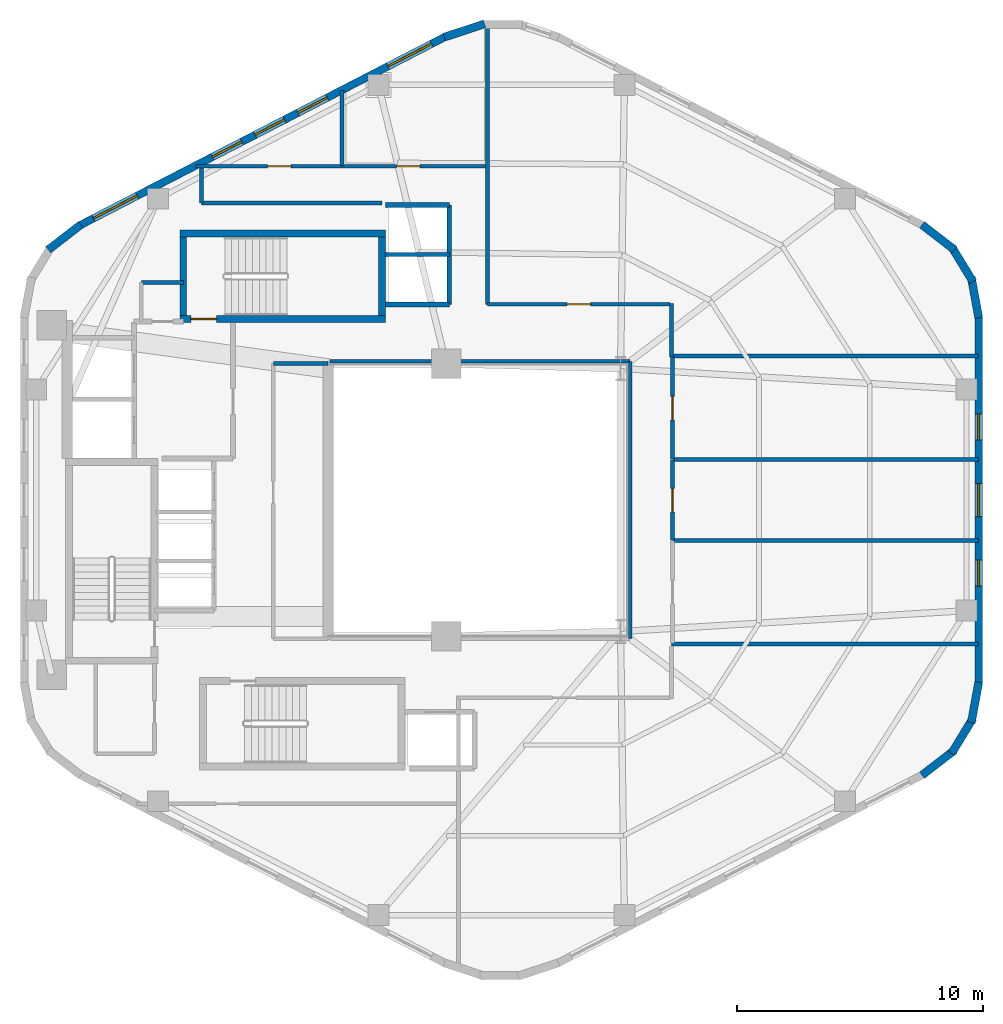
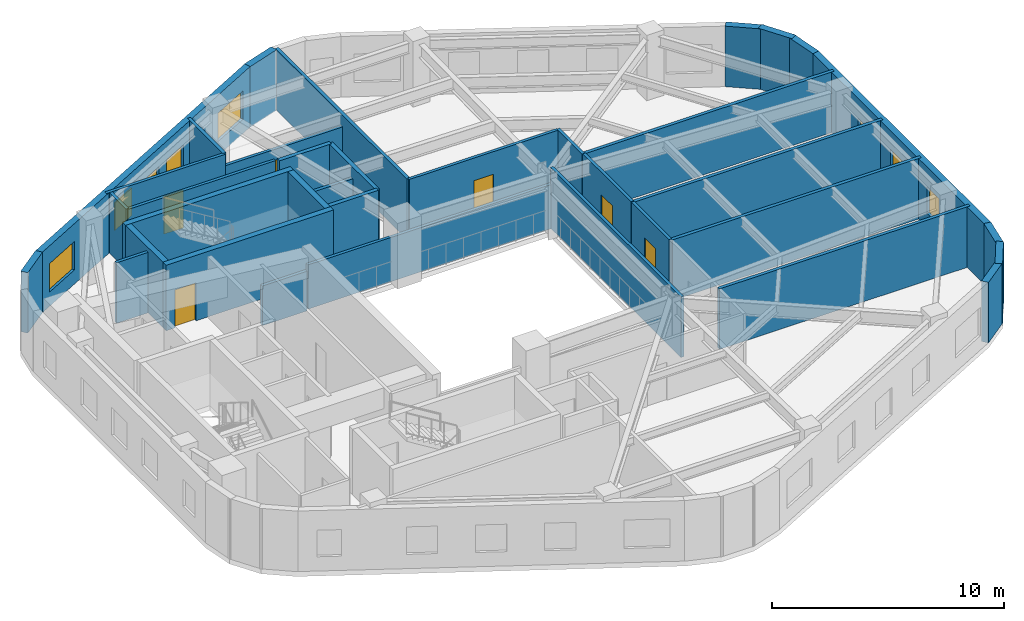
# One storey, part 4 of 6: 36 walls, 8 windows, 6 doors, 14 openings.
"""IFC4 building model written with IfcOpenShell, lengths in metres."""

from ifc_helpers import new_model, si_unit, direction, frame, frame_2d, origin, place, context, subcontext, project, spatial, rectangle, extrude, material, layer, layer_set, type_object, element, fill, save


model = new_model("IFC4")

# Units and contexts
model_context = context("Model", 3, precision=1e-05, world=origin(), true_north=direction((0.0, 1.0)))
body_context = subcontext(model_context, "Body", "Model", "MODEL_VIEW")
ifc_project = project(units=[si_unit("LENGTHUNIT", "METRE"), si_unit("AREAUNIT", "SQUARE_METRE"), si_unit("VOLUMEUNIT", "CUBIC_METRE"), si_unit("PLANEANGLEUNIT", "RADIAN"), si_unit("MASSUNIT", "GRAM", prefix="KILO"), si_unit("THERMODYNAMICTEMPERATUREUNIT", "KELVIN"), si_unit("POWERUNIT", "WATT")], contexts=[model_context])

# Site, building, storey
site_placement = place(None, origin())
site = spatial("IfcSite", under=ifc_project, at=site_placement, CompositionType="ELEMENT")
building_placement = place(site_placement, origin())
building = spatial("IfcBuilding", under=site, at=building_placement, Name="Skarre Station Tower", CompositionType="ELEMENT")
storey_placement = place(building_placement, frame((0.0, 0.0, 206.800048828125)))
storey = spatial("IfcBuildingStorey", under=building, at=storey_placement, Name="L56", CompositionType="ELEMENT", Elevation=206.800048828125)

# Walls
ifc_material_1 = material(Name="Acoustic Steel-Stud Gypsum Partition", Category="steel")
ifc_layer_1 = layer(ifc_material_1, 0.14990234375, Name="Acoustic Steel-Stud Gypsum Partition")
ifc_layer_set_1 = layer_set([ifc_layer_1], Name="Acoustic Steel-Stud Gypsum Partition")
wall_type_1 = type_object("IfcWallType", Name="Fire-Rated Corridor Acoustic Partition 150", PredefinedType="PARTITIONING", material=ifc_layer_set_1)
wall_1_placement = place(storey_placement, frame((27.550048828125, 29.550048828125, 0.0), z_axis=(0.0, 0.0, 1.0), x_axis=(-1.0, 0.0, 0.0)))
element("IfcWall", 1, at=wall_1_placement, inside=storey, type_object=wall_type_1, Name="L56 Interior Partition WL-PT-L56-RC2-N", PredefinedType="PARTITIONING", context=body_context, shape_type="SweptSolid", body=[
    extrude(rectangle(XDim=2.22998046875, YDim=0.14990234375, at=frame_2d((1.114990234375, 0.0))), origin(), (0.0, 0.0, 1.0), 2.08984375),
])
wall_2_placement = place(storey_placement, frame((21.659912109375, 32.85009765625, 0.0), z_axis=(0.0, 0.0, 1.0), x_axis=(-1.0, 0.0, 0.0)))
element("IfcWall", 2, at=wall_2_placement, inside=storey, type_object=wall_type_1, Name="L56 Interior Partition WL-PT-L56-CNW-N1", PredefinedType="PARTITIONING", context=body_context, shape_type="SweptSolid", body=[
    extrude(rectangle(XDim=1.7099609375, YDim=0.14990234375, at=frame_2d((0.85498046875, 0.0))), origin(), (0.0, 0.0, 1.0), 3.18994140625),
])
wall_3_placement = place(storey_placement, frame((39.840087890625, 29.639892578125, 0.0), z_axis=(0.0, 0.0, 1.0), x_axis=(-1.0, 0.0, 0.0)))
element("IfcWall", 3, at=wall_3_placement, inside=storey, type_object=wall_type_1, Name="L56 Interior Partition WL-PT-L56-ATRW-N", PredefinedType="PARTITIONING", context=body_context, shape_type="SweptSolid", body=[
    extrude(rectangle(XDim=12.203125, YDim=0.14990234375, at=frame_2d((6.1015625, 0.0))), origin(), (0.0, 0.0, 1.0), 2.3310546875),
])
wall_4_placement = place(storey_placement, frame((39.840087890625, 18.360107421875, 0.0), z_axis=(0.0, 0.0, 1.0), x_axis=(0.0, 1.0, 0.0)))
element("IfcWall", 4, at=wall_4_placement, inside=storey, type_object=wall_type_1, Name="L56 Interior Partition WL-PT-L56-ATRW-E", PredefinedType="PARTITIONING", context=body_context, shape_type="SweptSolid", body=[
    extrude(rectangle(XDim=11.27978515625, YDim=0.14990234375, at=frame_2d((5.639892578125, 0.0))), origin(), (0.0, 0.0, 1.0), 3.18994140625),
])

# Wall, opening, door
wall_5_placement = place(storey_placement, frame((28.115966796875, 37.580078125, 0.0), z_axis=(0.0, 0.0, 1.0), x_axis=(-1.0, 0.0, 0.0)))
wall_5 = element("IfcWall", 5, at=wall_5_placement, inside=storey, type_object=wall_type_1, Name="L56 Interior Partition WL-PT-L56-NWW1-CW", PredefinedType="PARTITIONING", context=body_context, shape_type="SweptSolid", body=[
    extrude(rectangle(XDim=5.94091796875, YDim=0.14990234375, at=frame_2d((2.970458984375, 0.0))), origin(), (0.0, 0.0, 1.0), 3.18994140625),
])
opening_1_placement = place(wall_5_placement, frame((2.070068359375, 0.0, 0.0)))
opening_1 = element("IfcOpeningElement", 6, at=opening_1_placement, cuts=wall_5, Name="Opening DR-FD60", PredefinedType="OPENING", context=body_context, shape_type="SweptSolid", body=[
    extrude(rectangle(XDim=0.9599609375, YDim=2.0, at=frame_2d((0.47998046875, 1.0))), frame((0.0, 0.0849609375, 0.0), z_axis=(0.0, -1.0, 0.0), x_axis=(1.0, 0.0, 0.0)), (0.0, 0.0, 1.0), 0.169921875),
])
ifc_material_2 = material(Name="Nordic White-Oak Veneer Solid-Core Fire Leaf", Category="wood")
door_type_1 = type_object("IfcDoorType", Name="Corridor Suite Entry Fire Door FD60 960x2150", OperationType="SINGLE_SWING_LEFT", PredefinedType="DOOR", material=ifc_material_2)
door_1_placement = place(opening_1_placement, origin())
door_1 = element("IfcDoor", 7, at=door_1_placement, inside=storey, type_object=door_type_1, Name="L56 NWW1 Entry Door", OperationType="SINGLE_SWING_LEFT", OverallHeight=2.0, OverallWidth=0.9599609375, PredefinedType="DOOR", context=body_context, shape_type="SweptSolid", body=[
    extrude(rectangle(XDim=0.9599609375, YDim=2.0, at=frame_2d((0.47998046875, 1.0))), frame((0.0, 0.02490234375, 0.0), z_axis=(0.0, -1.0, 0.0), x_axis=(1.0, 0.0, 0.0)), (0.0, 0.0, 1.0), 0.050048828125),
])
fill(opening_1, door_1)

wall_6_placement = place(storey_placement, frame((33.9619140625, 37.580078125, 0.0), z_axis=(0.0, 0.0, 1.0), x_axis=(-1.0, 0.0, 0.0)))
wall_6 = element("IfcWall", 8, at=wall_6_placement, inside=storey, type_object=wall_type_1, Name="L56 Interior Partition WL-PT-L56-NWW2-CW", PredefinedType="PARTITIONING", context=body_context, shape_type="SweptSolid", body=[
    extrude(rectangle(XDim=5.8359375, YDim=0.14990234375, at=frame_2d((2.91796875, 0.0))), origin(), (0.0, 0.0, 1.0), 2.58203125),
])
opening_2_placement = place(wall_6_placement, frame((2.6630859375, 0.0, 0.0)))
opening_2 = element("IfcOpeningElement", 9, at=opening_2_placement, cuts=wall_6, Name="Opening DR-FD60", PredefinedType="OPENING", context=body_context, shape_type="SweptSolid", body=[
    extrude(rectangle(XDim=0.9599609375, YDim=2.0, at=frame_2d((0.47998046875, 1.0))), frame((0.0, 0.0849609375, 0.0), z_axis=(0.0, -1.0, 0.0), x_axis=(1.0, 0.0, 0.0)), (0.0, 0.0, 1.0), 0.169921875),
])
door_2_placement = place(opening_2_placement, origin())
door_2 = element("IfcDoor", 10, at=door_2_placement, inside=storey, type_object=door_type_1, Name="L56 NWW2 Entry Door", OperationType="SINGLE_SWING_LEFT", OverallHeight=2.0, OverallWidth=0.9599609375, PredefinedType="DOOR", context=body_context, shape_type="SweptSolid", body=[
    extrude(rectangle(XDim=0.9599609375, YDim=2.0, at=frame_2d((0.47998046875, 1.0))), frame((0.0, 0.02490234375, 0.0), z_axis=(0.0, -1.0, 0.0), x_axis=(1.0, 0.0, 0.0)), (0.0, 0.0, 1.0), 0.050048828125),
])
fill(opening_2, door_2)

# Wall
wall_7_placement = place(storey_placement, frame((41.52001953125, 29.820068359375, 0.0), z_axis=(0.0, 0.0, 1.0), x_axis=(0.0, 1.0, 0.0)))
element("IfcWall", 11, at=wall_7_placement, inside=storey, type_object=wall_type_1, Name="L56 Interior Partition WL-PT-L56-CORR-NER", PredefinedType="PARTITIONING", context=body_context, shape_type="SweptSolid", body=[
    extrude(rectangle(XDim=2.179931640625, YDim=0.14990234375, at=frame_2d((1.08984375, 0.0))), origin(), (0.0, 0.0, 1.0), 3.18994140625),
])

# Wall, opening, door
wall_8_placement = place(storey_placement, frame((41.4599609375, 31.9599609375, 0.0), z_axis=(0.0, 0.0, 1.0), x_axis=(-1.0, 0.0, 0.0)))
wall_8 = element("IfcWall", 12, at=wall_8_placement, inside=storey, type_object=wall_type_1, Name="L56 Interior Partition WL-PT-L56-NW1-CW", PredefinedType="PARTITIONING", context=body_context, shape_type="SweptSolid", body=[
    extrude(rectangle(XDim=7.419921875, YDim=0.14990234375, at=frame_2d((3.7099609375, 0.0))), origin(), (0.0, 0.0, 1.0), 3.18994140625),
])
opening_3_placement = place(wall_8_placement, frame((3.22998046875, 0.0, 0.0)))
opening_3 = element("IfcOpeningElement", 13, at=opening_3_placement, cuts=wall_8, Name="Opening DR-FD60", PredefinedType="OPENING", context=body_context, shape_type="SweptSolid", body=[
    extrude(rectangle(XDim=0.9599609375, YDim=2.0, at=frame_2d((0.47998046875, 1.0))), frame((0.0, 0.0849609375, 0.0), z_axis=(0.0, -1.0, 0.0), x_axis=(1.0, 0.0, 0.0)), (0.0, 0.0, 1.0), 0.169921875),
])
door_3_placement = place(opening_3_placement, origin())
door_3 = element("IfcDoor", 14, at=door_3_placement, inside=storey, type_object=door_type_1, Name="L56 NW1 Entry Door", OperationType="SINGLE_SWING_LEFT", OverallHeight=2.0, OverallWidth=0.9599609375, PredefinedType="DOOR", context=body_context, shape_type="SweptSolid", body=[
    extrude(rectangle(XDim=0.9599609375, YDim=2.0, at=frame_2d((0.47998046875, 1.0))), frame((0.0, 0.02490234375, 0.0), z_axis=(0.0, -1.0, 0.0), x_axis=(1.0, 0.0, 0.0)), (0.0, 0.0, 1.0), 0.050048828125),
])
fill(opening_3, door_3)

wall_9_placement = place(storey_placement, frame((41.56005859375, 22.364990234375, 0.0), z_axis=(0.0, 0.0, 1.0), x_axis=(0.0, 1.0, 0.0)))
wall_9 = element("IfcWall", 15, at=wall_9_placement, inside=storey, type_object=wall_type_1, Name="L56 Interior Partition WL-PT-L56-EW2-CW", PredefinedType="PARTITIONING", context=body_context, shape_type="SweptSolid", body=[
    extrude(rectangle(XDim=3.258056640625, YDim=0.14990234375, at=frame_2d((1.62890625, 0.0))), origin(), (0.0, 0.0, 1.0), 3.18994140625),
])
opening_4_placement = place(wall_9_placement, frame((1.14892578125, 0.0, 0.0)))
opening_4 = element("IfcOpeningElement", 16, at=opening_4_placement, cuts=wall_9, Name="Opening DR-FD60", PredefinedType="OPENING", context=body_context, shape_type="SweptSolid", body=[
    extrude(rectangle(XDim=0.9599609375, YDim=2.0, at=frame_2d((0.47998046875, 1.0))), frame((0.0, 0.0849609375, 0.0), z_axis=(0.0, -1.0, 0.0), x_axis=(1.0, 0.0, 0.0)), (0.0, 0.0, 1.0), 0.169921875),
])
door_4_placement = place(opening_4_placement, origin())
door_4 = element("IfcDoor", 17, at=door_4_placement, inside=storey, type_object=door_type_1, Name="L56 EW2 Entry Door", OperationType="SINGLE_SWING_LEFT", OverallHeight=2.0, OverallWidth=0.9599609375, PredefinedType="DOOR", context=body_context, shape_type="SweptSolid", body=[
    extrude(rectangle(XDim=0.9599609375, YDim=2.0, at=frame_2d((0.47998046875, 1.0))), frame((0.0, 0.02490234375, 0.0), z_axis=(0.0, -1.0, 0.0), x_axis=(1.0, 0.0, 0.0)), (0.0, 0.0, 1.0), 0.050048828125),
])
fill(opening_4, door_4)

wall_10_placement = place(storey_placement, frame((41.56005859375, 25.658935546875, 0.0), z_axis=(0.0, 0.0, 1.0), x_axis=(0.0, 1.0, 0.0)))
wall_10 = element("IfcWall", 18, at=wall_10_placement, inside=storey, type_object=wall_type_1, Name="L56 Interior Partition WL-PT-L56-EW3-CW", PredefinedType="PARTITIONING", context=body_context, shape_type="SweptSolid", body=[
    extrude(rectangle(XDim=4.1611328125, YDim=0.14990234375, at=frame_2d((2.08056640625, 0.0))), origin(), (0.0, 0.0, 1.0), 3.18994140625),
])
opening_5_placement = place(wall_10_placement, frame((1.60107421875, 0.0, 0.0)))
opening_5 = element("IfcOpeningElement", 19, at=opening_5_placement, cuts=wall_10, Name="Opening DR-FD60", PredefinedType="OPENING", context=body_context, shape_type="SweptSolid", body=[
    extrude(rectangle(XDim=0.9599609375, YDim=2.0, at=frame_2d((0.47998046875, 1.0))), frame((0.0, 0.0849609375, 0.0), z_axis=(0.0, -1.0, 0.0), x_axis=(1.0, 0.0, 0.0)), (0.0, 0.0, 1.0), 0.169921875),
])
door_5_placement = place(opening_5_placement, origin())
door_5 = element("IfcDoor", 20, at=door_5_placement, inside=storey, type_object=door_type_1, Name="L56 EW3 Entry Door", OperationType="SINGLE_SWING_LEFT", OverallHeight=2.0, OverallWidth=0.9599609375, PredefinedType="DOOR", context=body_context, shape_type="SweptSolid", body=[
    extrude(rectangle(XDim=0.9599609375, YDim=2.0, at=frame_2d((0.47998046875, 1.0))), frame((0.0, 0.02490234375, 0.0), z_axis=(0.0, -1.0, 0.0), x_axis=(1.0, 0.0, 0.0)), (0.0, 0.0, 1.0), 0.050048828125),
])
fill(opening_5, door_5)

# Walls
wall_11_placement = place(storey_placement, frame((29.7529296875, 36.080078125, 0.0), z_axis=(0.0, 0.0, 1.0), x_axis=(-1.0, 0.0, 0.0)))
element("IfcWall", 21, at=wall_11_placement, inside=storey, type_object=wall_type_1, Name="L56 Interior Partition WL-PT-L56-CSEAL-1", PredefinedType="PARTITIONING", context=body_context, shape_type="SweptSolid", body=[
    extrude(rectangle(XDim=7.35302734375, YDim=0.14990234375, at=frame_2d((3.676513671875, 0.0))), origin(), (0.0, 0.0, 1.0), 3.18994140625),
])
wall_12_placement = place(storey_placement, frame((22.39990234375, 36.080078125, 0.0), z_axis=(0.0, 0.0, 1.0), x_axis=(0.0, 1.0, 0.0)))
element("IfcWall", 22, at=wall_12_placement, inside=storey, type_object=wall_type_1, Name="L56 Interior Partition WL-PT-L56-CSEAL-2", PredefinedType="PARTITIONING", context=body_context, shape_type="SweptSolid", body=[
    extrude(rectangle(XDim=1.429931640625, YDim=0.14990234375, at=frame_2d((0.71484375, 0.0))), origin(), (0.0, 0.0, 1.0), 3.18994140625),
])
ifc_material_3 = material(Name="Precast concrete C45/55", Category="concrete")
ifc_layer_2 = layer(ifc_material_3, 0.330078125, Name="Precast concrete C45/55")
ifc_layer_set_2 = layer_set([ifc_layer_2], Name="Precast concrete C45/55")
wall_type_2 = type_object("IfcWallType", Name="Nordic Rounded Corner Precast Wall 330", PredefinedType="STANDARD", material=ifc_layer_set_2)
wall_13_placement = place(storey_placement, frame((51.7109375, 35.199951171875, 0.0), z_axis=(0.0, 0.0, 1.0), x_axis=(0.791464279355, -0.611215423976, 0.0)))
element("IfcWall", 23, at=wall_13_placement, inside=storey, type_object=wall_type_2, Name="L56 Rounded Corner Precast Wall F0-1", PredefinedType="STANDARD", context=body_context, shape_type="SweptSolid", body=[
    extrude(rectangle(XDim=1.6767578125, YDim=0.330078125, at=frame_2d((0.83837890625, 0.0))), origin(), (0.0, 0.0, 1.0), 3.18994140625),
])
wall_14_placement = place(storey_placement, frame((52.912109375, 34.31494140625, 0.0), z_axis=(0.0, 0.0, 1.0), x_axis=(0.520219286058, -0.85403272444, 0.0)))
element("IfcWall", 24, at=wall_14_placement, inside=storey, type_object=wall_type_2, Name="L56 Rounded Corner Precast Wall F0-2", PredefinedType="STANDARD", context=body_context, shape_type="SweptSolid", body=[
    extrude(rectangle(XDim=1.677734375, YDim=0.330078125, at=frame_2d((0.8388671875, 0.0))), origin(), (0.0, 0.0, 1.0), 3.18994140625),
])
wall_15_placement = place(storey_placement, frame((53.718017578125, 33.056884765625, 0.0), z_axis=(0.0, 0.0, 1.0), x_axis=(0.180717642671, -0.983535019014, 0.0)))
element("IfcWall", 25, at=wall_15_placement, inside=storey, type_object=wall_type_2, Name="L56 Rounded Corner Precast Wall F0-3", PredefinedType="STANDARD", context=body_context, shape_type="SweptSolid", body=[
    extrude(rectangle(XDim=1.676513671875, YDim=0.330078125, at=frame_2d((0.83837890625, 0.0))), origin(), (0.0, 0.0, 1.0), 3.18994140625),
])
wall_16_placement = place(storey_placement, frame((32.281005859375, 42.83203125, 0.0), z_axis=(0.0, 0.0, 1.0), x_axis=(0.949937416267, 0.312440242569, 0.0)))
element("IfcWall", 26, at=wall_16_placement, inside=storey, type_object=wall_type_2, Name="L56 Rounded Corner Precast Wall F1-1", PredefinedType="STANDARD", context=body_context, shape_type="SweptSolid", body=[
    extrude(rectangle(XDim=1.72216796875, YDim=0.330078125, at=frame_2d((0.861083984375, 0.0))), origin(), (0.0, 0.0, 1.0), 3.18994140625),
])
for number, where, z_axis, x_axis, name in (
    (27, (16.162109375, 34.175048828125, 0.0), (0.0, 0.0, 1.0), (0.791409877269, 0.611285862884, 0.0), "L56 Rounded Corner Precast Wall F2-3"),
    (28, (54.02099609375, 16.592041015625, 0.0), (0.0, 0.0, 1.0), (-0.180717642671, -0.983535019014, 0.0), "L56 Rounded Corner Precast Wall F5-1"),
):
    element("IfcWall", number, at=place(storey_placement, frame(where, z_axis=z_axis, x_axis=x_axis)), inside=storey, type_object=wall_type_2, Name=name, PredefinedType="STANDARD", context=body_context, shape_type="SweptSolid", body=[
        extrude(rectangle(XDim=1.676513671875, YDim=0.330078125, at=frame_2d((0.83837890625, 0.0))), origin(), (0.0, 0.0, 1.0), 3.18994140625),
    ])
wall_17_placement = place(storey_placement, frame((53.784912109375, 15.117919921875, 0.0), z_axis=(0.0, 0.0, 1.0), x_axis=(-0.520219286058, -0.85403272444, 0.0)))
element("IfcWall", 29, at=wall_17_placement, inside=storey, type_object=wall_type_2, Name="L56 Rounded Corner Precast Wall F5-2", PredefinedType="STANDARD", context=body_context, shape_type="SweptSolid", body=[
    extrude(rectangle(XDim=1.677734375, YDim=0.330078125, at=frame_2d((0.8388671875, 0.0))), origin(), (0.0, 0.0, 1.0), 3.18994140625),
])
wall_18_placement = place(storey_placement, frame((53.0380859375, 13.824951171875, 0.0), z_axis=(0.0, 0.0, 1.0), x_axis=(-0.791464279355, -0.611215423976, 0.0)))
element("IfcWall", 30, at=wall_18_placement, inside=storey, type_object=wall_type_2, Name="L56 Rounded Corner Precast Wall F5-3", PredefinedType="STANDARD", context=body_context, shape_type="SweptSolid", body=[
    extrude(rectangle(XDim=1.6767578125, YDim=0.330078125, at=frame_2d((0.83837890625, 0.0))), origin(), (0.0, 0.0, 1.0), 3.18994140625),
])

# Wall, openings, windows
ifc_layer_3 = layer(ifc_material_3, 0.31005859375, Name="Precast concrete C45/55")
ifc_layer_set_3 = layer_set([ifc_layer_3], Name="Precast concrete C45/55")
wall_type_3 = type_object("IfcWallType", Name="Nordic Upper-Zone Precast Facet Wall 310", PredefinedType="STANDARD", material=ifc_layer_set_3)
wall_19_placement = place(storey_placement, frame((17.407958984375, 35.153076171875, 0.0), z_axis=(0.0, 0.0, 1.0), x_axis=(0.888626188278, 0.458632202867, 0.0)))
wall_19 = element("IfcWall", 31, at=wall_19_placement, inside=storey, type_object=wall_type_3, Name="L56 Facet 1 Nordic Precast Masonry Wall", PredefinedType="STANDARD", context=body_context, shape_type="SweptSolid", body=[
    extrude(rectangle(XDim=16.828369140625, YDim=0.31005859375, at=frame_2d((8.4140625, 0.0))), origin(), (0.0, 0.0, 1.0), 3.18994140625),
])
opening_6_placement = place(wall_19_placement, frame((0.675048828125, 0.0, 0.75)))
opening_6 = element("IfcOpeningElement", 32, at=opening_6_placement, cuts=wall_19, Name="Opening WN-Z3A", PredefinedType="OPENING", context=body_context, shape_type="SweptSolid", body=[
    extrude(rectangle(XDim=2.0, YDim=1.5, at=frame_2d((1.0, 0.75))), frame((0.0, 0.1650390625, 0.0), z_axis=(0.0, -1.0, 0.0), x_axis=(1.0, 0.0, 0.0)), (0.0, 0.0, 1.0), 0.330078125),
])
opening_7_placement = place(wall_19_placement, frame((6.110107421875, 0.0, 0.75)))
opening_7 = element("IfcOpeningElement", 33, at=opening_7_placement, cuts=wall_19, Name="Opening WN-Z3B", PredefinedType="OPENING", context=body_context, shape_type="SweptSolid", body=[
    extrude(rectangle(XDim=1.35009765625, YDim=1.449951171875, at=frame_2d((0.675048828125, 0.72509765625))), frame((0.0, 0.1650390625, 0.0), z_axis=(0.0, -1.0, 0.0), x_axis=(1.0, 0.0, 0.0)), (0.0, 0.0, 1.0), 0.330078125),
])
opening_8_placement = place(wall_19_placement, frame((8.070068359375, 0.0, 0.75)))
opening_8 = element("IfcOpeningElement", 34, at=opening_8_placement, cuts=wall_19, Name="Opening WN-Z3B", PredefinedType="OPENING", context=body_context, shape_type="SweptSolid", body=[
    extrude(rectangle(XDim=1.35009765625, YDim=1.449951171875, at=frame_2d((0.675048828125, 0.72509765625))), frame((0.0, 0.1650390625, 0.0), z_axis=(0.0, -1.0, 0.0), x_axis=(1.0, 0.0, 0.0)), (0.0, 0.0, 1.0), 0.330078125),
])
opening_9_placement = place(wall_19_placement, frame((10.030029296875, 0.0, 0.75)))
opening_9 = element("IfcOpeningElement", 35, at=opening_9_placement, cuts=wall_19, Name="Opening WN-Z3B", PredefinedType="OPENING", context=body_context, shape_type="SweptSolid", body=[
    extrude(rectangle(XDim=1.35009765625, YDim=1.449951171875, at=frame_2d((0.675048828125, 0.72509765625))), frame((0.0, 0.1650390625, 0.0), z_axis=(0.0, -1.0, 0.0), x_axis=(1.0, 0.0, 0.0)), (0.0, 0.0, 1.0), 0.330078125),
])
opening_10_placement = place(wall_19_placement, frame((14.153076171875, 0.0, 0.75)))
opening_10 = element("IfcOpeningElement", 36, at=opening_10_placement, cuts=wall_19, Name="Opening WN-Z3A", PredefinedType="OPENING", context=body_context, shape_type="SweptSolid", body=[
    extrude(rectangle(XDim=2.0, YDim=1.5, at=frame_2d((1.0, 0.75))), frame((0.0, 0.1650390625, 0.0), z_axis=(0.0, -1.0, 0.0), x_axis=(1.0, 0.0, 0.0)), (0.0, 0.0, 1.0), 0.330078125),
])
ifc_material_4 = material(Name="Low-Iron Triple Glazing with Bronze Anodized Frame", Category="glass")
window_type_1 = type_object("IfcWindowType", Name="Nordic Hospitality Narrow Window 1350x1450", PartitioningType="SINGLE_PANEL", PredefinedType="WINDOW", material=ifc_material_4)
window_1_placement = place(opening_7_placement, origin())
window_1 = element("IfcWindow", 37, at=window_1_placement, inside=storey, type_object=window_type_1, Name="L56 Facade Window WL-FAC-L56-F1-2", OverallHeight=1.449951171875, OverallWidth=1.35009765625, PartitioningType="SINGLE_PANEL", PredefinedType="WINDOW", context=body_context, shape_type="SweptSolid", body=[
    extrude(rectangle(XDim=1.35009765625, YDim=1.449951171875, at=frame_2d((0.675048828125, 0.72509765625))), frame((0.0, 0.030029296875, 0.0), z_axis=(0.0, -1.0, 0.0), x_axis=(1.0, 0.0, 0.0)), (0.0, 0.0, 1.0), 0.06005859375),
])
fill(opening_7, window_1)
window_2_placement = place(opening_8_placement, origin())
window_2 = element("IfcWindow", 38, at=window_2_placement, inside=storey, type_object=window_type_1, Name="L56 Facade Window WL-FAC-L56-F1-3", OverallHeight=1.449951171875, OverallWidth=1.35009765625, PartitioningType="SINGLE_PANEL", PredefinedType="WINDOW", context=body_context, shape_type="SweptSolid", body=[
    extrude(rectangle(XDim=1.35009765625, YDim=1.449951171875, at=frame_2d((0.675048828125, 0.72509765625))), frame((0.0, 0.030029296875, 0.0), z_axis=(0.0, -1.0, 0.0), x_axis=(1.0, 0.0, 0.0)), (0.0, 0.0, 1.0), 0.06005859375),
])
fill(opening_8, window_2)
window_3_placement = place(opening_9_placement, origin())
window_3 = element("IfcWindow", 39, at=window_3_placement, inside=storey, type_object=window_type_1, Name="L56 Facade Window WL-FAC-L56-F1-4", OverallHeight=1.449951171875, OverallWidth=1.35009765625, PartitioningType="SINGLE_PANEL", PredefinedType="WINDOW", context=body_context, shape_type="SweptSolid", body=[
    extrude(rectangle(XDim=1.35009765625, YDim=1.449951171875, at=frame_2d((0.675048828125, 0.72509765625))), frame((0.0, 0.030029296875, 0.0), z_axis=(0.0, -1.0, 0.0), x_axis=(1.0, 0.0, 0.0)), (0.0, 0.0, 1.0), 0.06005859375),
])
fill(opening_9, window_3)
window_type_2 = type_object("IfcWindowType", Name="Nordic Hospitality Window 2000x1500", PartitioningType="SINGLE_PANEL", PredefinedType="WINDOW", material=ifc_material_4)
window_4_placement = place(opening_6_placement, origin())
window_4 = element("IfcWindow", 40, at=window_4_placement, inside=storey, type_object=window_type_2, Name="L56 Facade Window WL-FAC-L56-F1-1", OverallHeight=1.5, OverallWidth=2.0, PartitioningType="SINGLE_PANEL", PredefinedType="WINDOW", context=body_context, shape_type="SweptSolid", body=[
    extrude(rectangle(XDim=2.0, YDim=1.5, at=frame_2d((1.0, 0.75))), frame((0.0, 0.030029296875, 0.0), z_axis=(0.0, -1.0, 0.0), x_axis=(1.0, 0.0, 0.0)), (0.0, 0.0, 1.0), 0.06005859375),
])
fill(opening_6, window_4)
window_5_placement = place(opening_10_placement, origin())
window_5 = element("IfcWindow", 41, at=window_5_placement, inside=storey, type_object=window_type_2, Name="L56 Facade Window WL-FAC-L56-F1-5", OverallHeight=1.5, OverallWidth=2.0, PartitioningType="SINGLE_PANEL", PredefinedType="WINDOW", context=body_context, shape_type="SweptSolid", body=[
    extrude(rectangle(XDim=2.0, YDim=1.5, at=frame_2d((1.0, 0.75))), frame((0.0, 0.030029296875, 0.0), z_axis=(0.0, -1.0, 0.0), x_axis=(1.0, 0.0, 0.0)), (0.0, 0.0, 1.0), 0.06005859375),
])
fill(opening_10, window_5)

wall_20_placement = place(storey_placement, frame((54.01708984375, 31.501953125, 0.0), z_axis=(0.0, 0.0, 1.0), x_axis=(0.0, -1.0, 0.0)))
wall_20 = element("IfcWall", 42, at=wall_20_placement, inside=storey, type_object=wall_type_3, Name="L56 Facet 5 Nordic Precast Masonry Wall", PredefinedType="STANDARD", context=body_context, shape_type="SweptSolid", body=[
    extrude(rectangle(XDim=15.00390625, YDim=0.31005859375, at=frame_2d((7.501953125, 0.0))), origin(), (0.0, 0.0, 1.0), 3.18994140625),
])
opening_11_placement = place(wall_20_placement, frame((4.007080078125, 0.0, 0.75)))
opening_11 = element("IfcOpeningElement", 43, at=opening_11_placement, cuts=wall_20, Name="Opening WN-SLT", PredefinedType="OPENING", context=body_context, shape_type="SweptSolid", body=[
    extrude(rectangle(XDim=1.050048828125, YDim=1.39990234375, at=frame_2d((0.52490234375, 0.699951171875))), frame((0.0, 0.1650390625, 0.0), z_axis=(0.0, -1.0, 0.0), x_axis=(1.0, 0.0, 0.0)), (0.0, 0.0, 1.0), 0.330078125),
])
opening_12_placement = place(wall_20_placement, frame((6.8330078125, 0.0, 0.75)))
opening_12 = element("IfcOpeningElement", 44, at=opening_12_placement, cuts=wall_20, Name="Opening WN-Z3B", PredefinedType="OPENING", context=body_context, shape_type="SweptSolid", body=[
    extrude(rectangle(XDim=1.35009765625, YDim=1.449951171875, at=frame_2d((0.675048828125, 0.72509765625))), frame((0.0, 0.1650390625, 0.0), z_axis=(0.0, -1.0, 0.0), x_axis=(1.0, 0.0, 0.0)), (0.0, 0.0, 1.0), 0.330078125),
])
opening_13_placement = place(wall_20_placement, frame((9.952880859375, 0.0, 0.75)))
opening_13 = element("IfcOpeningElement", 45, at=opening_13_placement, cuts=wall_20, Name="Opening WN-SLT", PredefinedType="OPENING", context=body_context, shape_type="SweptSolid", body=[
    extrude(rectangle(XDim=1.050048828125, YDim=1.39990234375, at=frame_2d((0.52490234375, 0.699951171875))), frame((0.0, 0.1650390625, 0.0), z_axis=(0.0, -1.0, 0.0), x_axis=(1.0, 0.0, 0.0)), (0.0, 0.0, 1.0), 0.330078125),
])
window_type_3 = type_object("IfcWindowType", Name="Nordic Corner Slot Window 1050x1400", PartitioningType="SINGLE_PANEL", PredefinedType="WINDOW", material=ifc_material_4)
window_6_placement = place(opening_11_placement, origin())
window_6 = element("IfcWindow", 46, at=window_6_placement, inside=storey, type_object=window_type_3, Name="L56 Facade Window WL-FAC-L56-F5-1", OverallHeight=1.39990234375, OverallWidth=1.050048828125, PartitioningType="SINGLE_PANEL", PredefinedType="WINDOW", context=body_context, shape_type="SweptSolid", body=[
    extrude(rectangle(XDim=1.050048828125, YDim=1.39990234375, at=frame_2d((0.52490234375, 0.699951171875))), frame((0.0, 0.030029296875, 0.0), z_axis=(0.0, -1.0, 0.0), x_axis=(1.0, 0.0, 0.0)), (0.0, 0.0, 1.0), 0.06005859375),
])
fill(opening_11, window_6)
window_7_placement = place(opening_13_placement, origin())
window_7 = element("IfcWindow", 47, at=window_7_placement, inside=storey, type_object=window_type_3, Name="L56 Facade Window WL-FAC-L56-F5-3", OverallHeight=1.39990234375, OverallWidth=1.050048828125, PartitioningType="SINGLE_PANEL", PredefinedType="WINDOW", context=body_context, shape_type="SweptSolid", body=[
    extrude(rectangle(XDim=1.050048828125, YDim=1.39990234375, at=frame_2d((0.52490234375, 0.699951171875))), frame((0.0, 0.030029296875, 0.0), z_axis=(0.0, -1.0, 0.0), x_axis=(1.0, 0.0, 0.0)), (0.0, 0.0, 1.0), 0.06005859375),
])
fill(opening_13, window_7)
window_8_placement = place(opening_12_placement, origin())
window_8 = element("IfcWindow", 48, at=window_8_placement, inside=storey, type_object=window_type_1, Name="L56 Facade Window WL-FAC-L56-F5-2", OverallHeight=1.449951171875, OverallWidth=1.35009765625, PartitioningType="SINGLE_PANEL", PredefinedType="WINDOW", context=body_context, shape_type="SweptSolid", body=[
    extrude(rectangle(XDim=1.35009765625, YDim=1.449951171875, at=frame_2d((0.675048828125, 0.72509765625))), frame((0.0, 0.030029296875, 0.0), z_axis=(0.0, -1.0, 0.0), x_axis=(1.0, 0.0, 0.0)), (0.0, 0.0, 1.0), 0.06005859375),
])
fill(opening_12, window_8)

# Wall, opening, door
ifc_material_5 = material(Name="Concrete C50/60", Category="concrete")
ifc_layer_4 = layer(ifc_material_5, 0.280029296875, Name="Concrete C50/60")
ifc_layer_set_4 = layer_set([ifc_layer_4], Name="Concrete C50/60")
wall_type_4 = type_object("IfcWallType", Name="RC Core Shear Wall 280", PredefinedType="SHEAR", material=ifc_layer_set_4)
wall_21_placement = place(storey_placement, frame((21.52001953125, 31.360107421875, 0.0), z_axis=(0.0, 0.0, 1.0), x_axis=(1.0, 0.0, 0.0)))
wall_21 = element("IfcWall", 49, at=wall_21_placement, inside=storey, type_object=wall_type_4, Name="L56 Stair ST-3 South Shear Wall", PredefinedType="SHEAR", context=body_context, shape_type="SweptSolid", body=[
    extrude(rectangle(XDim=8.35986328125, YDim=0.280029296875, at=frame_2d((4.179931640625, 0.0))), origin(), (0.0, 0.0, 1.0), 3.449951171875),
])
opening_14_placement = place(wall_21_placement, frame((0.449951171875, 0.0, 0.0)))
opening_14 = element("IfcOpeningElement", 50, at=opening_14_placement, cuts=wall_21, Name="Opening DR-FD90", PredefinedType="OPENING", context=body_context, shape_type="SweptSolid", body=[
    extrude(rectangle(XDim=1.050048828125, YDim=2.0, at=frame_2d((0.52490234375, 1.0))), frame((0.0, 0.14990234375, 0.0), z_axis=(0.0, -1.0, 0.0), x_axis=(1.0, 0.0, 0.0)), (0.0, 0.0, 1.0), 0.300048828125),
])
ifc_material_6 = material(Name="Fire-Rated Insulated Steel Frame & Timber Core Leaf", Category="steel")
door_type_2 = type_object("IfcDoorType", Name="Stair & FSAE Lobby Fire Door FD90 1050x2150", OperationType="SINGLE_SWING_RIGHT", PredefinedType="DOOR", material=ifc_material_6)
door_6_placement = place(opening_14_placement, origin())
door_6 = element("IfcDoor", 51, at=door_6_placement, inside=storey, type_object=door_type_2, Name="L56 Stair ST-3 & FSAE Lobby Direct Exit Door", OperationType="SINGLE_SWING_LEFT", OverallHeight=2.0, OverallWidth=1.050048828125, PredefinedType="DOOR", context=body_context, shape_type="SweptSolid", body=[
    extrude(rectangle(XDim=1.050048828125, YDim=2.0, at=frame_2d((0.52490234375, 1.0))), frame((0.0, 0.02490234375, 0.0), z_axis=(0.0, -1.0, 0.0), x_axis=(1.0, 0.0, 0.0)), (0.0, 0.0, 1.0), 0.050048828125),
])
fill(opening_14, door_6)

# Walls
wall_22_placement = place(storey_placement, frame((29.8798828125, 34.840087890625, 0.0), z_axis=(0.0, 0.0, 1.0), x_axis=(-1.0, 0.0, 0.0)))
element("IfcWall", 52, at=wall_22_placement, inside=storey, type_object=wall_type_4, Name="L56 Stair ST-3 North Shear Wall", PredefinedType="SHEAR", context=body_context, shape_type="SweptSolid", body=[
    extrude(rectangle(XDim=8.35986328125, YDim=0.280029296875, at=frame_2d((4.179931640625, 0.0))), origin(), (0.0, 0.0, 1.0), 3.449951171875),
])
for number, where, z_axis, x_axis, name in (
    (53, (21.659912109375, 34.699951171875, 0.0), (0.0, 0.0, 1.0), (0.0, -1.0, 0.0), "L56 Stair ST-3 West Shear Wall"),
    (54, (29.739990234375, 31.5, 0.0), (0.0, 0.0, 1.0), (0.0, 1.0, 0.0), "L56 Stair ST-3 East Shear Wall"),
):
    element("IfcWall", number, at=place(storey_placement, frame(where, z_axis=z_axis, x_axis=x_axis)), inside=storey, type_object=wall_type_4, Name=name, PredefinedType="SHEAR", context=body_context, shape_type="SweptSolid", body=[
        extrude(rectangle(XDim=3.199951171875, YDim=0.280029296875, at=frame_2d((1.60009765625, 0.0))), origin(), (0.0, 0.0, 1.0), 3.449951171875),
    ])
ifc_material_7 = material(Name="Gypsum Concrete Shaft Assembly C30/37", Category="concrete")
ifc_layer_5 = layer(ifc_material_7, 0.199951171875, Name="Gypsum Concrete Shaft Assembly C30/37")
ifc_layer_set_5 = layer_set([ifc_layer_5], Name="Gypsum Concrete Shaft Assembly C30/37")
wall_type_5 = type_object("IfcWallType", Name="Shaft & Core Fire Partition 200", PredefinedType="PARTITIONING", material=ifc_layer_set_5)
wall_23_placement = place(storey_placement, frame((32.47998046875, 31.949951171875, 0.0), z_axis=(0.0, 0.0, 1.0), x_axis=(0.0, 1.0, 0.0)))
element("IfcWall", 55, at=wall_23_placement, inside=storey, type_object=wall_type_5, Name="L56 Interior Partition WL-PT-L56-EX-E", PredefinedType="PARTITIONING", context=body_context, shape_type="SweptSolid", body=[
    extrude(rectangle(XDim=4.050048828125, YDim=0.199951171875, at=frame_2d((2.02490234375, 0.0))), origin(), (0.0, 0.0, 1.0), 3.18994140625),
])
for number, where, z_axis, x_axis, name in (
    (56, (29.8798828125, 36.0, 0.0), (0.0, 0.0, 1.0), (1.0, 0.0, 0.0), "L56 Interior Partition WL-PT-L56-EX-N"),
    (57, (32.47998046875, 31.949951171875, 0.0), (0.0, 0.0, 1.0), (-1.0, 0.0, 0.0), "L56 Interior Partition WL-PT-L56-EX-S"),
):
    element("IfcWall", number, at=place(storey_placement, frame(where, z_axis=z_axis, x_axis=x_axis)), inside=storey, type_object=wall_type_5, Name=name, PredefinedType="PARTITIONING", context=body_context, shape_type="SweptSolid", body=[
        extrude(rectangle(XDim=2.60009765625, YDim=0.199951171875, at=frame_2d((1.300048828125, 0.0))), origin(), (0.0, 0.0, 1.0), 3.18994140625),
    ])
wall_24_placement = place(storey_placement, frame((29.875, 33.97998046875, 0.0), z_axis=(0.0, 0.0, 1.0), x_axis=(1.0, 0.0, 0.0)))
element("IfcWall", 58, at=wall_24_placement, inside=storey, type_object=wall_type_5, Name="L56 Interior Partition WL-PT-L56-EX-DIV", PredefinedType="PARTITIONING", context=body_context, shape_type="SweptSolid", body=[
    extrude(rectangle(XDim=2.60498046875, YDim=0.159912109375, at=frame_2d((1.302490234375, 0.0))), origin(), (0.0, 0.0, 1.0), 2.58203125),
])
ifc_layer_6 = layer(ifc_material_1, 0.1650390625, Name="Acoustic Steel-Stud Gypsum Partition")
ifc_layer_set_6 = layer_set([ifc_layer_6], Name="Acoustic Steel-Stud Gypsum Partition")
wall_type_6 = type_object("IfcWallType", Name="Suite Demising Acoustic Partition 165", PredefinedType="PARTITIONING", material=ifc_layer_set_6)
wall_25_placement = place(storey_placement, frame((28.12109375, 37.610107421875, 0.0), z_axis=(0.0, 0.0, 1.0), x_axis=(0.0, 1.0, 0.0)))
element("IfcWall", 59, at=wall_25_placement, inside=storey, type_object=wall_type_6, Name="L56 Interior Partition WL-PT-L56-NWW-P1", PredefinedType="PARTITIONING", context=body_context, shape_type="SweptSolid", body=[
    extrude(rectangle(XDim=3.054931640625, YDim=0.1650390625, at=frame_2d((1.52734375, 0.0))), origin(), (0.0, 0.0, 1.0), 3.18994140625),
])
wall_26_placement = place(storey_placement, frame((34.0400390625, 31.9599609375, 0.0), z_axis=(0.0, 0.0, 1.0), x_axis=(0.0, 1.0, 0.0)))
element("IfcWall", 60, at=wall_26_placement, inside=storey, type_object=wall_type_6, Name="L56 Interior Partition WL-PT-L56-NW-WBND", PredefinedType="PARTITIONING", context=body_context, shape_type="SweptSolid", body=[
    extrude(rectangle(XDim=11.3759765625, YDim=0.1650390625, at=frame_2d((5.68798828125, 0.0))), origin(), (0.0, 0.0, 1.0), 3.18994140625),
])
for number, where, z_axis, x_axis, name in (
    (61, (41.52001953125, 18.139892578125, 0.0), (0.0, 0.0, 1.0), (1.0, 0.0, 0.0), "L56 Interior Partition WL-PT-L56-EWB-S"),
    (62, (41.52001953125, 29.860107421875, 0.0), (0.0, 0.0, 1.0), (1.0, 0.0, 0.0), "L56 Interior Partition WL-PT-L56-EWB-N"),
):
    element("IfcWall", number, at=place(storey_placement, frame(where, z_axis=z_axis, x_axis=x_axis)), inside=storey, type_object=wall_type_6, Name=name, PredefinedType="PARTITIONING", context=body_context, shape_type="SweptSolid", body=[
        extrude(rectangle(XDim=12.48193359375, YDim=0.1650390625, at=frame_2d((6.240966796875, 0.0))), origin(), (0.0, 0.0, 1.0), 3.18994140625),
    ])
for number, where, z_axis, x_axis, name in (
    (63, (41.590087890625, 22.346923828125, 0.0), (0.0, 0.0, 1.0), (1.0, 0.0, 0.0), "L56 Interior Partition WL-PT-L56-EW-P1"),
    (64, (41.590087890625, 25.64111328125, 0.0), (0.0, 0.0, 1.0), (1.0, 0.0, 0.0), "L56 Interior Partition WL-PT-L56-EW-P2"),
):
    element("IfcWall", number, at=place(storey_placement, frame(where, z_axis=z_axis, x_axis=x_axis)), inside=storey, type_object=wall_type_6, Name=name, PredefinedType="PARTITIONING", context=body_context, shape_type="SweptSolid", body=[
        extrude(rectangle(XDim=12.411865234375, YDim=0.1650390625, at=frame_2d((6.2060546875, 0.0))), origin(), (0.0, 0.0, 1.0), 3.18994140625),
    ])

save(model, "model.ifc")
